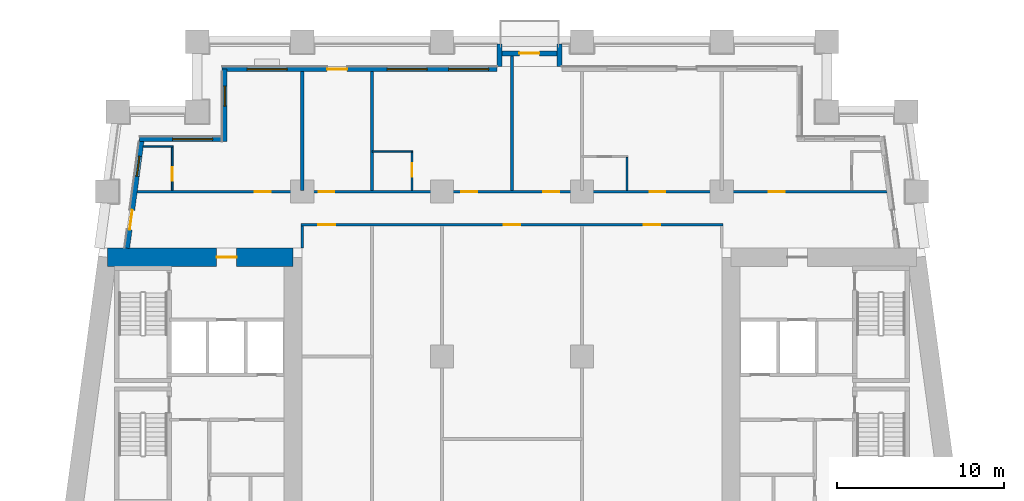
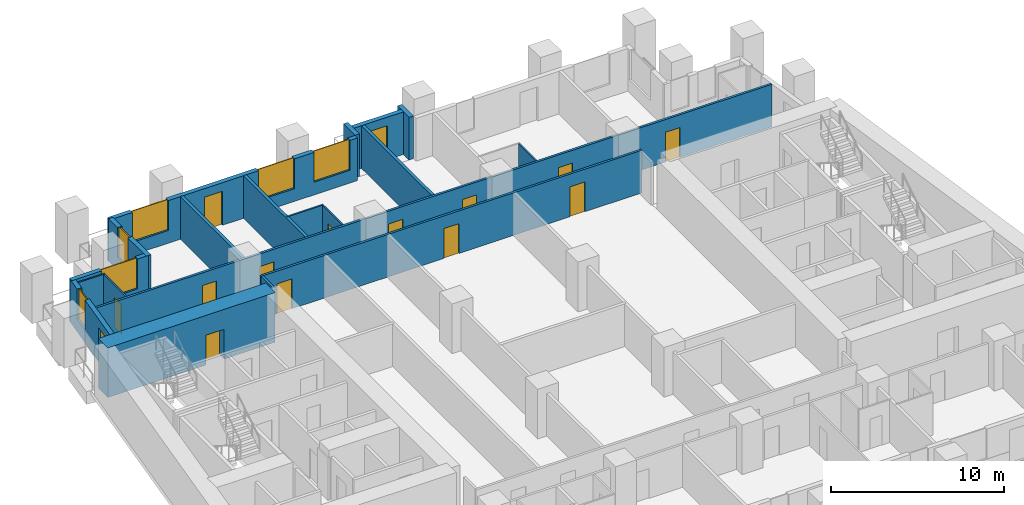
# One storey, part 6 of 12: 19 walls, 15 doors, 6 windows, 21 openings.
"""IFC4 building model written with IfcOpenShell, lengths in metres."""

from ifc_helpers import new_model, si_unit, direction, frame, frame_2d, origin, place, context, subcontext, project, spatial, rectangle, extrude, material, layer, layer_set, type_object, element, fill, save


model = new_model("IFC4")

# Units and contexts
model_context = context("Model", 3, precision=1e-05, world=origin(), true_north=direction((0.0, 1.0)))
body_context = subcontext(model_context, "Body", "Model", "MODEL_VIEW")
ifc_project = project(units=[si_unit("LENGTHUNIT", "METRE"), si_unit("AREAUNIT", "SQUARE_METRE"), si_unit("VOLUMEUNIT", "CUBIC_METRE"), si_unit("PLANEANGLEUNIT", "RADIAN"), si_unit("MASSUNIT", "GRAM", prefix="KILO")], contexts=[model_context])

# Site, building, storey
site_placement = place(None, origin())
site = spatial("IfcSite", under=ifc_project, at=site_placement, CompositionType="ELEMENT")
building_placement = place(site_placement, origin())
building = spatial("IfcBuilding", under=site, at=building_placement, Name="Candeia Pilgrim Tower and Theatre", CompositionType="ELEMENT")
storey_placement = place(building_placement, frame((0.0, 0.0, 77.5)))
storey = spatial("IfcBuildingStorey", under=building, at=storey_placement, Name="L17", CompositionType="ELEMENT", Elevation=77.5)

# Wall, opening, door
ifc_material_1 = material(Name="Concrete C80/95", Category="concrete")
ifc_layer_1 = layer(ifc_material_1, 1.10009765625)
ifc_layer_set_1 = layer_set([ifc_layer_1], Name="Core wall 1100 C80/95")
wall_type_1 = type_object("IfcWallType", Name="Core wall 1100 C80/95", PredefinedType="SHEAR", material=ifc_layer_set_1)
wall_1_placement = place(storey_placement, frame((89.111572265625, 131.85009765625, 0.0), z_axis=(0.0, 0.0, 1.0), x_axis=(1.0, 0.0, 0.0)))
wall_1 = element("IfcWall", 1, at=wall_1_placement, inside=storey, type_object=wall_type_1, Name="Core wall W1", PredefinedType="SHEAR", context=body_context, shape_type="SweptSolid", body=[
    extrude(rectangle(XDim=11.138427734375, YDim=1.10009765625, at=frame_2d((5.5693359375, 0.0))), origin(), (0.0, 0.0, 1.0), 3.5),
])
opening_1_placement = place(wall_1_placement, frame((6.5517578125, 0.0, 0.0)))
opening_1 = element("IfcOpeningElement", 2, at=opening_1_placement, cuts=wall_1, Name="Opening L17-D047", PredefinedType="OPENING", context=body_context, shape_type="SweptSolid", body=[
    extrude(rectangle(XDim=1.199951171875, YDim=2.10009765625, at=frame_2d((0.60009765625, 1.050048828125))), frame((0.0, 0.56005859375, 0.0), z_axis=(0.0, -1.0, 0.0), x_axis=(1.0, 0.0, 0.0)), (0.0, 0.0, 1.0), 1.1201171875),
])
ifc_material_2 = material(Name="Steel fire door set", Category="steel")
door_type_1 = type_object("IfcDoorType", Name="D-1200-FD60", OperationType="NOTDEFINED", PredefinedType="DOOR", material=ifc_material_2)
door_1_placement = place(opening_1_placement, origin())
door_1 = element("IfcDoor", 3, at=door_1_placement, inside=storey, type_object=door_type_1, Name="Door L17-D047", OperationType="SINGLE_SWING_RIGHT", OverallHeight=2.10009765625, OverallWidth=1.199951171875, PredefinedType="DOOR", context=body_context, shape_type="SweptSolid", body=[
    extrude(rectangle(XDim=1.199951171875, YDim=2.10009765625, at=frame_2d((0.60009765625, 1.050048828125))), frame((0.0, 0.02490234375, 0.0), z_axis=(0.0, -1.0, 0.0), x_axis=(1.0, 0.0, 0.0)), (0.0, 0.0, 1.0), 0.050048828125),
])
fill(opening_1, door_1)

# Wall, openings, door, windows
ifc_material_3 = material(Name="Ceramic block masonry", Category="masonry")
ifc_layer_2 = layer(ifc_material_3, 0.300048828125)
ifc_layer_set_2 = layer_set([ifc_layer_2], Name="EW1 glazing-line wall 300")
wall_type_2 = type_object("IfcWallType", Name="EW1 glazing-line wall 300", PredefinedType="SOLIDWALL", material=ifc_layer_set_2)
wall_2_placement = place(storey_placement, frame((112.5, 143.14990234375, 0.0), z_axis=(0.0, 0.0, 1.0), x_axis=(-1.0, 0.0, 0.0)))
wall_2 = element("IfcWall", 4, at=wall_2_placement, inside=storey, type_object=wall_type_2, Name="External wall L17-6.1", PredefinedType="SOLIDWALL", context=body_context, shape_type="SweptSolid", body=[
    extrude(rectangle(XDim=16.5, YDim=0.300048828125, at=frame_2d((8.25, 0.0))), origin(), (0.0, 0.0, 1.0), 3.0),
])
opening_2_placement = place(wall_2_placement, frame((0.5, 0.0, 0.89990234375)))
opening_2 = element("IfcOpeningElement", 5, at=opening_2_placement, cuts=wall_2, Name="Opening W-A", PredefinedType="OPENING", context=body_context, shape_type="SweptSolid", body=[
    extrude(rectangle(XDim=2.39990234375, YDim=2.10009765625, at=frame_2d((1.199951171875, 1.050048828125))), frame((0.0, 0.16015625, 0.0), z_axis=(0.0, -1.0, 0.0), x_axis=(1.0, 0.0, 0.0)), (0.0, 0.0, 1.0), 0.320068359375),
])
opening_3_placement = place(wall_2_placement, frame((4.199951171875, 0.0, 0.89990234375)))
opening_3 = element("IfcOpeningElement", 6, at=opening_3_placement, cuts=wall_2, Name="Opening W-A", PredefinedType="OPENING", context=body_context, shape_type="SweptSolid", body=[
    extrude(rectangle(XDim=2.39990234375, YDim=2.10009765625, at=frame_2d((1.199951171875, 1.050048828125))), frame((0.0, 0.16015625, 0.0), z_axis=(0.0, -1.0, 0.0), x_axis=(1.0, 0.0, 0.0)), (0.0, 0.0, 1.0), 0.320068359375),
])
opening_4_placement = place(wall_2_placement, frame((9.0, 0.0, 0.0)))
opening_4 = element("IfcOpeningElement", 7, at=opening_4_placement, cuts=wall_2, Name="Opening L17-ED189", PredefinedType="OPENING", context=body_context, shape_type="SweptSolid", body=[
    extrude(rectangle(XDim=1.199951171875, YDim=2.39990234375, at=frame_2d((0.60009765625, 1.199951171875))), frame((0.0, 0.16015625, 0.0), z_axis=(0.0, -1.0, 0.0), x_axis=(1.0, 0.0, 0.0)), (0.0, 0.0, 1.0), 0.320068359375),
])
opening_5_placement = place(wall_2_placement, frame((12.60009765625, 0.0, 0.89990234375)))
opening_5 = element("IfcOpeningElement", 8, at=opening_5_placement, cuts=wall_2, Name="Opening W-A", PredefinedType="OPENING", context=body_context, shape_type="SweptSolid", body=[
    extrude(rectangle(XDim=2.39990234375, YDim=2.10009765625, at=frame_2d((1.199951171875, 1.050048828125))), frame((0.0, 0.16015625, 0.0), z_axis=(0.0, -1.0, 0.0), x_axis=(1.0, 0.0, 0.0)), (0.0, 0.0, 1.0), 0.320068359375),
])
ifc_material_4 = material(Name="Aluminium framed glazed door", Category="aluminium")
door_type_2 = type_object("IfcDoorType", Name="Loggia door 1200x2400", OperationType="DOUBLE_DOOR_SINGLE_SWING", PredefinedType="DOOR", material=ifc_material_4)
door_2_placement = place(opening_4_placement, origin())
door_2 = element("IfcDoor", 9, at=door_2_placement, inside=storey, type_object=door_type_2, Name="Loggia door L17-ED189", OperationType="DOUBLE_DOOR_SINGLE_SWING", OverallHeight=2.39990234375, OverallWidth=1.199951171875, PredefinedType="DOOR", context=body_context, shape_type="SweptSolid", body=[
    extrude(rectangle(XDim=1.199951171875, YDim=2.39990234375, at=frame_2d((0.60009765625, 1.199951171875))), frame((0.0, 0.02490234375, 0.0), z_axis=(0.0, -1.0, 0.0), x_axis=(1.0, 0.0, 0.0)), (0.0, 0.0, 1.0), 0.050048828125),
])
fill(opening_4, door_2)
ifc_material_5 = material(Name="Aluminium framed double glazing", Category="aluminium")
window_type_1 = type_object("IfcWindowType", Name="W-A window 2400x2100", PartitioningType="DOUBLE_PANEL_VERTICAL", PredefinedType="WINDOW", material=ifc_material_5)
window_1_placement = place(opening_2_placement, origin())
window_1 = element("IfcWindow", 10, at=window_1_placement, inside=storey, type_object=window_type_1, Name="Window W-A L17", OverallHeight=2.10009765625, OverallWidth=2.39990234375, PartitioningType="SINGLE_PANEL", PredefinedType="WINDOW", context=body_context, shape_type="SweptSolid", body=[
    extrude(rectangle(XDim=2.39990234375, YDim=2.10009765625, at=frame_2d((1.199951171875, 1.050048828125))), frame((0.0, 0.030029296875, 0.0), z_axis=(0.0, -1.0, 0.0), x_axis=(1.0, 0.0, 0.0)), (0.0, 0.0, 1.0), 0.06005859375),
])
fill(opening_2, window_1)
window_2_placement = place(opening_3_placement, origin())
window_2 = element("IfcWindow", 11, at=window_2_placement, inside=storey, type_object=window_type_1, Name="Window W-A L17", OverallHeight=2.10009765625, OverallWidth=2.39990234375, PartitioningType="SINGLE_PANEL", PredefinedType="WINDOW", context=body_context, shape_type="SweptSolid", body=[
    extrude(rectangle(XDim=2.39990234375, YDim=2.10009765625, at=frame_2d((1.199951171875, 1.050048828125))), frame((0.0, 0.030029296875, 0.0), z_axis=(0.0, -1.0, 0.0), x_axis=(1.0, 0.0, 0.0)), (0.0, 0.0, 1.0), 0.06005859375),
])
fill(opening_3, window_2)
window_3_placement = place(opening_5_placement, origin())
window_3 = element("IfcWindow", 12, at=window_3_placement, inside=storey, type_object=window_type_1, Name="Window W-A L17", OverallHeight=2.10009765625, OverallWidth=2.39990234375, PartitioningType="SINGLE_PANEL", PredefinedType="WINDOW", context=body_context, shape_type="SweptSolid", body=[
    extrude(rectangle(XDim=2.39990234375, YDim=2.10009765625, at=frame_2d((1.199951171875, 1.050048828125))), frame((0.0, 0.030029296875, 0.0), z_axis=(0.0, -1.0, 0.0), x_axis=(1.0, 0.0, 0.0)), (0.0, 0.0, 1.0), 0.06005859375),
])
fill(opening_5, window_3)

# Wall, opening, window
wall_3_placement = place(storey_placement, frame((96.14990234375, 143.14990234375, 0.0), z_axis=(0.0, 0.0, 1.0), x_axis=(0.0, -1.0, 0.0)))
wall_3 = element("IfcWall", 13, at=wall_3_placement, inside=storey, type_object=wall_type_2, Name="External wall L17-7.0", PredefinedType="SOLIDWALL", context=body_context, shape_type="SweptSolid", body=[
    extrude(rectangle(XDim=4.349853515625, YDim=0.300048828125, at=frame_2d((2.1748046875, 0.0))), origin(), (0.0, 0.0, 1.0), 3.0),
])
opening_6_placement = place(wall_3_placement, frame((1.02490234375, 0.0, 0.89990234375)))
opening_6 = element("IfcOpeningElement", 14, at=opening_6_placement, cuts=wall_3, Name="Opening W-B", PredefinedType="OPENING", context=body_context, shape_type="SweptSolid", body=[
    extrude(rectangle(XDim=1.199951171875, YDim=2.10009765625, at=frame_2d((0.60009765625, 1.050048828125))), frame((0.0, 0.16015625, 0.0), z_axis=(0.0, -1.0, 0.0), x_axis=(1.0, 0.0, 0.0)), (0.0, 0.0, 1.0), 0.320068359375),
])
window_type_2 = type_object("IfcWindowType", Name="W-B window 1200x2100", PartitioningType="SINGLE_PANEL", PredefinedType="WINDOW", material=ifc_material_5)
window_4_placement = place(opening_6_placement, origin())
window_4 = element("IfcWindow", 15, at=window_4_placement, inside=storey, type_object=window_type_2, Name="Window W-B L17", OverallHeight=2.10009765625, OverallWidth=1.199951171875, PartitioningType="SINGLE_PANEL", PredefinedType="WINDOW", context=body_context, shape_type="SweptSolid", body=[
    extrude(rectangle(XDim=1.199951171875, YDim=2.10009765625, at=frame_2d((0.60009765625, 1.050048828125))), frame((0.0, 0.030029296875, 0.0), z_axis=(0.0, -1.0, 0.0), x_axis=(1.0, 0.0, 0.0)), (0.0, 0.0, 1.0), 0.06005859375),
])
fill(opening_6, window_4)

wall_4_placement = place(storey_placement, frame((96.14990234375, 138.949951171875, 0.0), z_axis=(0.0, 0.0, 1.0), x_axis=(-1.0, 0.0, 0.0)))
wall_4 = element("IfcWall", 16, at=wall_4_placement, inside=storey, type_object=wall_type_2, Name="External wall L17-8.0", PredefinedType="SOLIDWALL", context=body_context, shape_type="SweptSolid", body=[
    extrude(rectangle(XDim=5.103759765625, YDim=0.300048828125, at=frame_2d((2.5517578125, 0.0))), origin(), (0.0, 0.0, 1.0), 3.0),
])
opening_7_placement = place(wall_4_placement, frame((0.72509765625, 0.0, 0.89990234375)))
opening_7 = element("IfcOpeningElement", 17, at=opening_7_placement, cuts=wall_4, Name="Opening W-A", PredefinedType="OPENING", context=body_context, shape_type="SweptSolid", body=[
    extrude(rectangle(XDim=2.39990234375, YDim=2.10009765625, at=frame_2d((1.199951171875, 1.050048828125))), frame((0.0, 0.16015625, 0.0), z_axis=(0.0, -1.0, 0.0), x_axis=(1.0, 0.0, 0.0)), (0.0, 0.0, 1.0), 0.320068359375),
])
window_5_placement = place(opening_7_placement, origin())
window_5 = element("IfcWindow", 18, at=window_5_placement, inside=storey, type_object=window_type_1, Name="Window W-A L17", OverallHeight=2.10009765625, OverallWidth=2.39990234375, PartitioningType="SINGLE_PANEL", PredefinedType="WINDOW", context=body_context, shape_type="SweptSolid", body=[
    extrude(rectangle(XDim=2.39990234375, YDim=2.10009765625, at=frame_2d((1.199951171875, 1.050048828125))), frame((0.0, 0.030029296875, 0.0), z_axis=(0.0, -1.0, 0.0), x_axis=(1.0, 0.0, 0.0)), (0.0, 0.0, 1.0), 0.06005859375),
])
fill(opening_7, window_5)

# Wall, openings, door, window
wall_5_placement = place(storey_placement, frame((91.177490234375, 138.949951171875, 0.0), z_axis=(0.0, 0.0, 1.0), x_axis=(-0.133426664613, -0.991058689065, 0.0)))
wall_5 = element("IfcWall", 19, at=wall_5_placement, inside=storey, type_object=wall_type_2, Name="External wall L17-9.0", PredefinedType="SOLIDWALL", context=body_context, shape_type="SweptSolid", body=[
    extrude(rectangle(XDim=6.609130859375, YDim=0.300048828125, at=frame_2d((3.3046875, 0.0))), origin(), (0.0, 0.0, 1.0), 3.0),
])
opening_8_placement = place(wall_5_placement, frame((1.039306640625, 0.0, 0.89990234375)))
opening_8 = element("IfcOpeningElement", 20, at=opening_8_placement, cuts=wall_5, Name="Opening W-B", PredefinedType="OPENING", context=body_context, shape_type="SweptSolid", body=[
    extrude(rectangle(XDim=1.199951171875, YDim=2.10009765625, at=frame_2d((0.60009765625, 1.050048828125))), frame((0.0, 0.16015625, 0.0), z_axis=(0.0, -1.0, 0.0), x_axis=(1.0, 0.0, 0.0)), (0.0, 0.0, 1.0), 0.320068359375),
])
opening_9_placement = place(wall_5_placement, frame((4.293701171875, 0.0, 0.0)))
opening_9 = element("IfcOpeningElement", 21, at=opening_9_placement, cuts=wall_5, Name="Opening L17-ED191", PredefinedType="OPENING", context=body_context, shape_type="SweptSolid", body=[
    extrude(rectangle(XDim=1.199951171875, YDim=2.39990234375, at=frame_2d((0.60009765625, 1.199951171875))), frame((0.0, 0.16015625, 0.0), z_axis=(0.0, -1.0, 0.0), x_axis=(1.0, 0.0, 0.0)), (0.0, 0.0, 1.0), 0.320068359375),
])
door_3_placement = place(opening_9_placement, origin())
door_3 = element("IfcDoor", 22, at=door_3_placement, inside=storey, type_object=door_type_2, Name="Loggia door L17-ED191", OperationType="DOUBLE_DOOR_SINGLE_SWING", OverallHeight=2.39990234375, OverallWidth=1.199951171875, PredefinedType="DOOR", context=body_context, shape_type="SweptSolid", body=[
    extrude(rectangle(XDim=1.199951171875, YDim=2.39990234375, at=frame_2d((0.60009765625, 1.199951171875))), frame((0.0, 0.02490234375, 0.0), z_axis=(0.0, -1.0, 0.0), x_axis=(1.0, 0.0, 0.0)), (0.0, 0.0, 1.0), 0.050048828125),
])
fill(opening_9, door_3)
window_6_placement = place(opening_8_placement, origin())
window_6 = element("IfcWindow", 23, at=window_6_placement, inside=storey, type_object=window_type_2, Name="Window W-B L17", OverallHeight=2.10009765625, OverallWidth=1.199951171875, PartitioningType="SINGLE_PANEL", PredefinedType="WINDOW", context=body_context, shape_type="SweptSolid", body=[
    extrude(rectangle(XDim=1.199951171875, YDim=2.10009765625, at=frame_2d((0.60009765625, 1.050048828125))), frame((0.0, 0.030029296875, 0.0), z_axis=(0.0, -1.0, 0.0), x_axis=(1.0, 0.0, 0.0)), (0.0, 0.0, 1.0), 0.06005859375),
])
fill(opening_8, window_6)

# Walls
ifc_layer_3 = layer(ifc_material_3, 0.300048828125)
ifc_layer_set_3 = layer_set([ifc_layer_3], Name="EW2 entrance infill wall 300")
wall_type_3 = type_object("IfcWallType", Name="EW2 entrance infill wall 300", PredefinedType="SOLIDWALL", material=ifc_layer_set_3)
for number, where, z_axis, x_axis, name in (
    (24, (116.25, 143.300048828125, 0.0), (0.0, 0.0, 1.0), (0.0, 1.0, 0.0), "Alcove wall L17"),
    (25, (112.64990234375, 143.300048828125, 0.0), (0.0, 0.0, 1.0), (0.0, 1.0, 0.0), "Alcove wall L17"),
):
    element("IfcWall", number, at=place(storey_placement, frame(where, z_axis=z_axis, x_axis=x_axis)), inside=storey, type_object=wall_type_3, Name=name, PredefinedType="SOLIDWALL", context=body_context, shape_type="SweptSolid", body=[
        extrude(rectangle(XDim=1.349853515625, YDim=0.300048828125, at=frame_2d((0.6748046875, 0.0))), origin(), (0.0, 0.0, 1.0), 3.0),
    ])

# Wall, opening, door
wall_6_placement = place(storey_placement, frame((116.39990234375, 144.10009765625, 0.0), z_axis=(0.0, 0.0, 1.0), x_axis=(-1.0, 0.0, 0.0)))
wall_6 = element("IfcWall", 26, at=wall_6_placement, inside=storey, type_object=wall_type_3, Name="Alcove wall L17", PredefinedType="SOLIDWALL", context=body_context, shape_type="SweptSolid", body=[
    extrude(rectangle(XDim=3.89990234375, YDim=0.300048828125, at=frame_2d((1.949951171875, 0.0))), origin(), (0.0, 0.0, 1.0), 3.0),
])
opening_10_placement = place(wall_6_placement, frame((1.35009765625, 0.0, 0.0)))
opening_10 = element("IfcOpeningElement", 27, at=opening_10_placement, cuts=wall_6, Name="Opening L17-ED190", PredefinedType="OPENING", context=body_context, shape_type="SweptSolid", body=[
    extrude(rectangle(XDim=1.199951171875, YDim=2.39990234375, at=frame_2d((0.60009765625, 1.199951171875))), frame((0.0, 0.16015625, 0.0), z_axis=(0.0, -1.0, 0.0), x_axis=(1.0, 0.0, 0.0)), (0.0, 0.0, 1.0), 0.320068359375),
])
door_4_placement = place(opening_10_placement, origin())
door_4 = element("IfcDoor", 28, at=door_4_placement, inside=storey, type_object=door_type_2, Name="Balcony door L17-ED190", OperationType="DOUBLE_DOOR_SINGLE_SWING", OverallHeight=2.39990234375, OverallWidth=1.199951171875, PredefinedType="DOOR", context=body_context, shape_type="SweptSolid", body=[
    extrude(rectangle(XDim=1.199951171875, YDim=2.39990234375, at=frame_2d((0.60009765625, 1.199951171875))), frame((0.0, 0.02490234375, 0.0), z_axis=(0.0, -1.0, 0.0), x_axis=(1.0, 0.0, 0.0)), (0.0, 0.0, 1.0), 0.050048828125),
])
fill(opening_10, door_4)

# Walls
ifc_material_6 = material(Name="Gypsum board partition on steel studs", Category="steel")
ifc_layer_4 = layer(ifc_material_6, 0.10009765625)
ifc_layer_set_4 = layer_set([ifc_layer_4], Name="PW-100 room partition")
wall_type_4 = type_object("IfcWallType", Name="PW-100 room partition", PredefinedType="PARTITIONING", material=ifc_layer_set_4)
wall_7_placement = place(storey_placement, frame((105.0, 138.199951171875, 0.0), z_axis=(0.0, 0.0, 1.0), x_axis=(1.0, 0.0, 0.0)))
element("IfcWall", 29, at=wall_7_placement, inside=storey, type_object=wall_type_4, Name="Room partition L17-040", PredefinedType="PARTITIONING", context=body_context, shape_type="SweptSolid", body=[
    extrude(rectangle(XDim=2.449951171875, YDim=0.10009765625, at=frame_2d((1.22509765625, 0.0))), origin(), (0.0, 0.0, 1.0), 3.0),
])
wall_8_placement = place(storey_placement, frame((91.258056640625, 138.5, 0.0), z_axis=(0.0, 0.0, 1.0), x_axis=(1.0, 0.0, 0.0)))
element("IfcWall", 30, at=wall_8_placement, inside=storey, type_object=wall_type_4, Name="Room partition L17-042", PredefinedType="PARTITIONING", context=body_context, shape_type="SweptSolid", body=[
    extrude(rectangle(XDim=1.7919921875, YDim=0.10009765625, at=frame_2d((0.89599609375, 0.0))), origin(), (0.0, 0.0, 1.0), 3.0),
])

# Wall, opening, door
wall_9_placement = place(storey_placement, frame((93.0, 135.875, 0.0), z_axis=(0.0, 0.0, 1.0), x_axis=(0.0, 1.0, 0.0)))
wall_9 = element("IfcWall", 31, at=wall_9_placement, inside=storey, type_object=wall_type_4, Name="Room partition L17-055", PredefinedType="PARTITIONING", context=body_context, shape_type="SweptSolid", body=[
    extrude(rectangle(XDim=2.574951171875, YDim=0.10009765625, at=frame_2d((1.28759765625, 0.0))), origin(), (0.0, 0.0, 1.0), 3.0),
])
opening_11_placement = place(wall_9_placement, frame((0.574951171875, 0.0, 0.0)))
opening_11 = element("IfcOpeningElement", 32, at=opening_11_placement, cuts=wall_9, Name="Opening L17-D029", PredefinedType="OPENING", context=body_context, shape_type="SweptSolid", body=[
    extrude(rectangle(XDim=0.800048828125, YDim=2.10009765625, at=frame_2d((0.39990234375, 1.050048828125))), frame((0.0, 0.06005859375, 0.0), z_axis=(0.0, -1.0, 0.0), x_axis=(1.0, 0.0, 0.0)), (0.0, 0.0, 1.0), 0.1201171875),
])
ifc_material_7 = material(Name="Timber door leaf", Category="wood")
door_type_3 = type_object("IfcDoorType", Name="D-800", OperationType="NOTDEFINED", PredefinedType="DOOR", material=ifc_material_7)
door_5_placement = place(opening_11_placement, origin())
door_5 = element("IfcDoor", 33, at=door_5_placement, inside=storey, type_object=door_type_3, Name="Door L17-D029", OperationType="SINGLE_SWING_RIGHT", OverallHeight=2.10009765625, OverallWidth=0.800048828125, PredefinedType="DOOR", context=body_context, shape_type="SweptSolid", body=[
    extrude(rectangle(XDim=0.800048828125, YDim=2.10009765625, at=frame_2d((0.39990234375, 1.050048828125))), frame((0.0, 0.02490234375, 0.0), z_axis=(0.0, -1.0, 0.0), x_axis=(1.0, 0.0, 0.0)), (0.0, 0.0, 1.0), 0.050048828125),
])
fill(opening_11, door_5)

wall_10_placement = place(storey_placement, frame((107.39990234375, 135.875, 0.0), z_axis=(0.0, 0.0, 1.0), x_axis=(0.0, 1.0, 0.0)))
wall_10 = element("IfcWall", 34, at=wall_10_placement, inside=storey, type_object=wall_type_4, Name="Room partition L17-072", PredefinedType="PARTITIONING", context=body_context, shape_type="SweptSolid", body=[
    extrude(rectangle(XDim=2.27490234375, YDim=0.10009765625, at=frame_2d((1.137451171875, 0.0))), origin(), (0.0, 0.0, 1.0), 3.0),
])
opening_12_placement = place(wall_10_placement, frame((0.81494140625, 0.0, 0.0)))
opening_12 = element("IfcOpeningElement", 35, at=opening_12_placement, cuts=wall_10, Name="Opening L17-D032", PredefinedType="OPENING", context=body_context, shape_type="SweptSolid", body=[
    extrude(rectangle(XDim=0.800048828125, YDim=2.10009765625, at=frame_2d((0.39990234375, 1.050048828125))), frame((0.0, 0.06005859375, 0.0), z_axis=(0.0, -1.0, 0.0), x_axis=(1.0, 0.0, 0.0)), (0.0, 0.0, 1.0), 0.1201171875),
])
door_6_placement = place(opening_12_placement, origin())
door_6 = element("IfcDoor", 36, at=door_6_placement, inside=storey, type_object=door_type_3, Name="Door L17-D032", OperationType="SINGLE_SWING_LEFT", OverallHeight=2.10009765625, OverallWidth=0.800048828125, PredefinedType="DOOR", context=body_context, shape_type="SweptSolid", body=[
    extrude(rectangle(XDim=0.800048828125, YDim=2.10009765625, at=frame_2d((0.39990234375, 1.050048828125))), frame((0.0, 0.02490234375, 0.0), z_axis=(0.0, -1.0, 0.0), x_axis=(1.0, 0.0, 0.0)), (0.0, 0.0, 1.0), 0.050048828125),
])
fill(opening_12, door_6)

# Wall
wall_11_placement = place(storey_placement, frame((120.300048828125, 135.875, 0.0), z_axis=(0.0, 0.0, 1.0), x_axis=(0.0, 1.0, 0.0)))
element("IfcWall", 37, at=wall_11_placement, inside=storey, type_object=wall_type_4, Name="Room partition L17-078", PredefinedType="PARTITIONING", context=body_context, shape_type="SweptSolid", body=[
    extrude(rectangle(XDim=1.97509765625, YDim=0.10009765625, at=frame_2d((0.987548828125, 0.0))), origin(), (0.0, 0.0, 1.0), 3.0),
])

# Wall, openings, doors
ifc_layer_5 = layer(ifc_material_6, 0.14990234375)
ifc_layer_set_5 = layer_set([ifc_layer_5], Name="PW-150 unit wall")
wall_type_5 = type_object("IfcWallType", Name="PW-150 unit wall", PredefinedType="PARTITIONING", material=ifc_layer_set_5)
wall_12_placement = place(storey_placement, frame((100.72509765625, 133.800048828125, 0.0), z_axis=(0.0, 0.0, 1.0), x_axis=(1.0, 0.0, 0.0)))
wall_12 = element("IfcWall", 38, at=wall_12_placement, inside=storey, type_object=wall_type_5, Name="Unit wall L17-037", PredefinedType="PARTITIONING", context=body_context, shape_type="SweptSolid", body=[
    extrude(rectangle(XDim=25.349853515625, YDim=0.14990234375, at=frame_2d((12.6748046875, 0.0))), origin(), (0.0, 0.0, 1.0), 3.0),
])
opening_13_placement = place(wall_12_placement, frame((1.050048828125, 0.0, 0.0)))
opening_13 = element("IfcOpeningElement", 39, at=opening_13_placement, cuts=wall_12, Name="Opening L17-D040", PredefinedType="OPENING", context=body_context, shape_type="SweptSolid", body=[
    extrude(rectangle(XDim=1.0, YDim=2.10009765625, at=frame_2d((0.5, 1.050048828125))), frame((0.0, 0.0849609375, 0.0), z_axis=(0.0, -1.0, 0.0), x_axis=(1.0, 0.0, 0.0)), (0.0, 0.0, 1.0), 0.169921875),
])
opening_14_placement = place(wall_12_placement, frame((12.175048828125, 0.0, 0.0)))
opening_14 = element("IfcOpeningElement", 40, at=opening_14_placement, cuts=wall_12, Name="Opening L17-D043", PredefinedType="OPENING", context=body_context, shape_type="SweptSolid", body=[
    extrude(rectangle(XDim=1.0, YDim=2.10009765625, at=frame_2d((0.5, 1.050048828125))), frame((0.0, 0.0849609375, 0.0), z_axis=(0.0, -1.0, 0.0), x_axis=(1.0, 0.0, 0.0)), (0.0, 0.0, 1.0), 0.169921875),
])
opening_15_placement = place(wall_12_placement, frame((20.574951171875, 0.0, 0.0)))
opening_15 = element("IfcOpeningElement", 41, at=opening_15_placement, cuts=wall_12, Name="Opening L17-D045", PredefinedType="OPENING", context=body_context, shape_type="SweptSolid", body=[
    extrude(rectangle(XDim=1.0, YDim=2.10009765625, at=frame_2d((0.5, 1.050048828125))), frame((0.0, 0.0849609375, 0.0), z_axis=(0.0, -1.0, 0.0), x_axis=(1.0, 0.0, 0.0)), (0.0, 0.0, 1.0), 0.169921875),
])
door_type_4 = type_object("IfcDoorType", Name="D-1000-FD30S", OperationType="NOTDEFINED", PredefinedType="DOOR", material=ifc_material_2)
door_7_placement = place(opening_13_placement, origin())
door_7 = element("IfcDoor", 42, at=door_7_placement, inside=storey, type_object=door_type_4, Name="Door L17-D040", OperationType="SINGLE_SWING_LEFT", OverallHeight=2.10009765625, OverallWidth=1.0, PredefinedType="DOOR", context=body_context, shape_type="SweptSolid", body=[
    extrude(rectangle(XDim=1.0, YDim=2.10009765625, at=frame_2d((0.5, 1.050048828125))), frame((0.0, 0.02490234375, 0.0), z_axis=(0.0, -1.0, 0.0), x_axis=(1.0, 0.0, 0.0)), (0.0, 0.0, 1.0), 0.050048828125),
])
fill(opening_13, door_7)
door_8_placement = place(opening_14_placement, origin())
door_8 = element("IfcDoor", 43, at=door_8_placement, inside=storey, type_object=door_type_4, Name="Door L17-D043", OperationType="SINGLE_SWING_RIGHT", OverallHeight=2.10009765625, OverallWidth=1.0, PredefinedType="DOOR", context=body_context, shape_type="SweptSolid", body=[
    extrude(rectangle(XDim=1.0, YDim=2.10009765625, at=frame_2d((0.5, 1.050048828125))), frame((0.0, 0.02490234375, 0.0), z_axis=(0.0, -1.0, 0.0), x_axis=(1.0, 0.0, 0.0)), (0.0, 0.0, 1.0), 0.050048828125),
])
fill(opening_14, door_8)
door_9_placement = place(opening_15_placement, origin())
door_9 = element("IfcDoor", 44, at=door_9_placement, inside=storey, type_object=door_type_4, Name="Door L17-D045", OperationType="SINGLE_SWING_RIGHT", OverallHeight=2.10009765625, OverallWidth=1.0, PredefinedType="DOOR", context=body_context, shape_type="SweptSolid", body=[
    extrude(rectangle(XDim=1.0, YDim=2.10009765625, at=frame_2d((0.5, 1.050048828125))), frame((0.0, 0.02490234375, 0.0), z_axis=(0.0, -1.0, 0.0), x_axis=(1.0, 0.0, 0.0)), (0.0, 0.0, 1.0), 0.050048828125),
])
fill(opening_15, door_9)

wall_13_placement = place(storey_placement, frame((90.89453125, 135.800048828125, 0.0), z_axis=(0.0, 0.0, 1.0), x_axis=(1.0, 0.0, 0.0)))
wall_13 = element("IfcWall", 45, at=wall_13_placement, inside=storey, type_object=wall_type_5, Name="Unit wall L17-038", PredefinedType="PARTITIONING", context=body_context, shape_type="SweptSolid", body=[
    extrude(rectangle(XDim=45.010986328125, YDim=0.14990234375, at=frame_2d((22.50537109375, 0.0))), origin(), (0.0, 0.0, 1.0), 3.0),
])
opening_16_placement = place(wall_13_placement, frame((7.068359375, 0.0, 0.0)))
opening_16 = element("IfcOpeningElement", 46, at=opening_16_placement, cuts=wall_13, Name="Opening L17-D028", PredefinedType="OPENING", context=body_context, shape_type="SweptSolid", body=[
    extrude(rectangle(XDim=0.949951171875, YDim=2.10009765625, at=frame_2d((0.47509765625, 1.050048828125))), frame((0.0, 0.0849609375, 0.0), z_axis=(0.0, -1.0, 0.0), x_axis=(1.0, 0.0, 0.0)), (0.0, 0.0, 1.0), 0.169921875),
])
opening_17_placement = place(wall_13_placement, frame((10.892333984375, 0.0, 0.0)))
opening_17 = element("IfcOpeningElement", 47, at=opening_17_placement, cuts=wall_13, Name="Opening L17-D030", PredefinedType="OPENING", context=body_context, shape_type="SweptSolid", body=[
    extrude(rectangle(XDim=0.949951171875, YDim=2.10009765625, at=frame_2d((0.47509765625, 1.050048828125))), frame((0.0, 0.0849609375, 0.0), z_axis=(0.0, -1.0, 0.0), x_axis=(1.0, 0.0, 0.0)), (0.0, 0.0, 1.0), 0.169921875),
])
opening_18_placement = place(wall_13_placement, frame((19.46533203125, 0.0, 0.0)))
opening_18 = element("IfcOpeningElement", 48, at=opening_18_placement, cuts=wall_13, Name="Opening L17-D031", PredefinedType="OPENING", context=body_context, shape_type="SweptSolid", body=[
    extrude(rectangle(XDim=0.949951171875, YDim=2.10009765625, at=frame_2d((0.47509765625, 1.050048828125))), frame((0.0, 0.0849609375, 0.0), z_axis=(0.0, -1.0, 0.0), x_axis=(1.0, 0.0, 0.0)), (0.0, 0.0, 1.0), 0.169921875),
])
opening_19_placement = place(wall_13_placement, frame((24.385498046875, 0.0, 0.0)))
opening_19 = element("IfcOpeningElement", 49, at=opening_19_placement, cuts=wall_13, Name="Opening L17-D033", PredefinedType="OPENING", context=body_context, shape_type="SweptSolid", body=[
    extrude(rectangle(XDim=0.949951171875, YDim=2.10009765625, at=frame_2d((0.47509765625, 1.050048828125))), frame((0.0, 0.0849609375, 0.0), z_axis=(0.0, -1.0, 0.0), x_axis=(1.0, 0.0, 0.0)), (0.0, 0.0, 1.0), 0.169921875),
])
opening_20_placement = place(wall_13_placement, frame((30.767333984375, 0.0, 0.0)))
opening_20 = element("IfcOpeningElement", 50, at=opening_20_placement, cuts=wall_13, Name="Opening L17-D034", PredefinedType="OPENING", context=body_context, shape_type="SweptSolid", body=[
    extrude(rectangle(XDim=0.949951171875, YDim=2.10009765625, at=frame_2d((0.47509765625, 1.050048828125))), frame((0.0, 0.0849609375, 0.0), z_axis=(0.0, -1.0, 0.0), x_axis=(1.0, 0.0, 0.0)), (0.0, 0.0, 1.0), 0.169921875),
])
opening_21_placement = place(wall_13_placement, frame((37.915283203125, 0.0, 0.0)))
opening_21 = element("IfcOpeningElement", 51, at=opening_21_placement, cuts=wall_13, Name="Opening L17-D036", PredefinedType="OPENING", context=body_context, shape_type="SweptSolid", body=[
    extrude(rectangle(XDim=0.949951171875, YDim=2.10009765625, at=frame_2d((0.47509765625, 1.050048828125))), frame((0.0, 0.0849609375, 0.0), z_axis=(0.0, -1.0, 0.0), x_axis=(1.0, 0.0, 0.0)), (0.0, 0.0, 1.0), 0.169921875),
])
door_type_5 = type_object("IfcDoorType", Name="D-950-FD30S", OperationType="NOTDEFINED", PredefinedType="DOOR", material=ifc_material_2)
door_10_placement = place(opening_16_placement, origin())
door_10 = element("IfcDoor", 52, at=door_10_placement, inside=storey, type_object=door_type_5, Name="Door L17-D028", OperationType="SINGLE_SWING_LEFT", OverallHeight=2.10009765625, OverallWidth=0.949951171875, PredefinedType="DOOR", context=body_context, shape_type="SweptSolid", body=[
    extrude(rectangle(XDim=0.949951171875, YDim=2.10009765625, at=frame_2d((0.47509765625, 1.050048828125))), frame((0.0, 0.02490234375, 0.0), z_axis=(0.0, -1.0, 0.0), x_axis=(1.0, 0.0, 0.0)), (0.0, 0.0, 1.0), 0.050048828125),
])
fill(opening_16, door_10)
door_11_placement = place(opening_17_placement, origin())
door_11 = element("IfcDoor", 53, at=door_11_placement, inside=storey, type_object=door_type_5, Name="Door L17-D030", OperationType="SINGLE_SWING_LEFT", OverallHeight=2.10009765625, OverallWidth=0.949951171875, PredefinedType="DOOR", context=body_context, shape_type="SweptSolid", body=[
    extrude(rectangle(XDim=0.949951171875, YDim=2.10009765625, at=frame_2d((0.47509765625, 1.050048828125))), frame((0.0, 0.02490234375, 0.0), z_axis=(0.0, -1.0, 0.0), x_axis=(1.0, 0.0, 0.0)), (0.0, 0.0, 1.0), 0.050048828125),
])
fill(opening_17, door_11)
door_12_placement = place(opening_18_placement, origin())
door_12 = element("IfcDoor", 54, at=door_12_placement, inside=storey, type_object=door_type_5, Name="Door L17-D031", OperationType="SINGLE_SWING_RIGHT", OverallHeight=2.10009765625, OverallWidth=0.949951171875, PredefinedType="DOOR", context=body_context, shape_type="SweptSolid", body=[
    extrude(rectangle(XDim=0.949951171875, YDim=2.10009765625, at=frame_2d((0.47509765625, 1.050048828125))), frame((0.0, 0.02490234375, 0.0), z_axis=(0.0, -1.0, 0.0), x_axis=(1.0, 0.0, 0.0)), (0.0, 0.0, 1.0), 0.050048828125),
])
fill(opening_18, door_12)
door_13_placement = place(opening_19_placement, origin())
door_13 = element("IfcDoor", 55, at=door_13_placement, inside=storey, type_object=door_type_5, Name="Door L17-D033", OperationType="SINGLE_SWING_RIGHT", OverallHeight=2.10009765625, OverallWidth=0.949951171875, PredefinedType="DOOR", context=body_context, shape_type="SweptSolid", body=[
    extrude(rectangle(XDim=0.949951171875, YDim=2.10009765625, at=frame_2d((0.47509765625, 1.050048828125))), frame((0.0, 0.02490234375, 0.0), z_axis=(0.0, -1.0, 0.0), x_axis=(1.0, 0.0, 0.0)), (0.0, 0.0, 1.0), 0.050048828125),
])
fill(opening_19, door_13)
door_14_placement = place(opening_20_placement, origin())
door_14 = element("IfcDoor", 56, at=door_14_placement, inside=storey, type_object=door_type_5, Name="Door L17-D034", OperationType="SINGLE_SWING_LEFT", OverallHeight=2.10009765625, OverallWidth=0.949951171875, PredefinedType="DOOR", context=body_context, shape_type="SweptSolid", body=[
    extrude(rectangle(XDim=0.949951171875, YDim=2.10009765625, at=frame_2d((0.47509765625, 1.050048828125))), frame((0.0, 0.02490234375, 0.0), z_axis=(0.0, -1.0, 0.0), x_axis=(1.0, 0.0, 0.0)), (0.0, 0.0, 1.0), 0.050048828125),
])
fill(opening_20, door_14)
door_15_placement = place(opening_21_placement, origin())
door_15 = element("IfcDoor", 57, at=door_15_placement, inside=storey, type_object=door_type_5, Name="Door L17-D036", OperationType="SINGLE_SWING_LEFT", OverallHeight=2.10009765625, OverallWidth=0.949951171875, PredefinedType="DOOR", context=body_context, shape_type="SweptSolid", body=[
    extrude(rectangle(XDim=0.949951171875, YDim=2.10009765625, at=frame_2d((0.47509765625, 1.050048828125))), frame((0.0, 0.02490234375, 0.0), z_axis=(0.0, -1.0, 0.0), x_axis=(1.0, 0.0, 0.0)), (0.0, 0.0, 1.0), 0.050048828125),
])
fill(opening_21, door_15)

# Walls
wall_14_placement = place(storey_placement, frame((100.800048828125, 132.39990234375, 0.0), z_axis=(0.0, 0.0, 1.0), x_axis=(0.0, 1.0, 0.0)))
element("IfcWall", 58, at=wall_14_placement, inside=storey, type_object=wall_type_5, Name="Unit wall L17-066", PredefinedType="PARTITIONING", context=body_context, shape_type="SweptSolid", body=[
    extrude(rectangle(XDim=1.3251953125, YDim=0.14990234375, at=frame_2d((0.66259765625, 0.0))), origin(), (0.0, 0.0, 1.0), 3.0),
])
ifc_layer_6 = layer(ifc_material_6, 0.199951171875)
ifc_layer_set_6 = layer_set([ifc_layer_6], Name="PW-200 party wall")
wall_type_6 = type_object("IfcWallType", Name="PW-200 party wall", PredefinedType="PARTITIONING", material=ifc_layer_set_6)
for number, where, z_axis, x_axis, name in (
    (59, (100.800048828125, 135.875, 0.0), (0.0, 0.0, 1.0), (0.0, 1.0, 0.0), "Party wall L17-064"),
    (60, (105.0, 135.875, 0.0), (0.0, 0.0, 1.0), (0.0, 1.0, 0.0), "Party wall L17-070"),
):
    element("IfcWall", number, at=place(storey_placement, frame(where, z_axis=z_axis, x_axis=x_axis)), inside=storey, type_object=wall_type_6, Name=name, PredefinedType="PARTITIONING", context=body_context, shape_type="SweptSolid", body=[
        extrude(rectangle(XDim=7.135009765625, YDim=0.199951171875, at=frame_2d((3.5673828125, 0.0))), origin(), (0.0, 0.0, 1.0), 3.0),
    ])
wall_15_placement = place(storey_placement, frame((113.39990234375, 135.875, 0.0), z_axis=(0.0, 0.0, 1.0), x_axis=(0.0, 1.0, 0.0)))
element("IfcWall", 61, at=wall_15_placement, inside=storey, type_object=wall_type_6, Name="Party wall L17-075", PredefinedType="PARTITIONING", context=body_context, shape_type="SweptSolid", body=[
    extrude(rectangle(XDim=8.0849609375, YDim=0.199951171875, at=frame_2d((4.04248046875, 0.0))), origin(), (0.0, 0.0, 1.0), 3.0),
])

save(model, "model.ifc")
